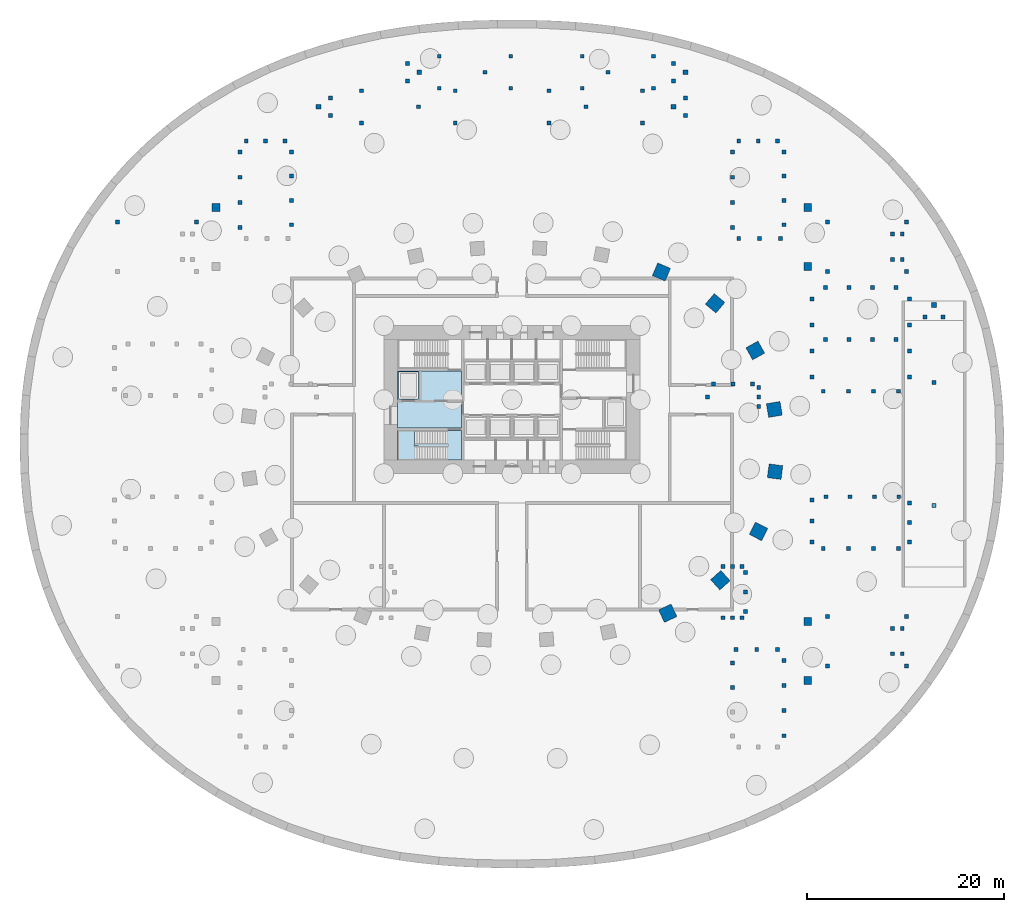
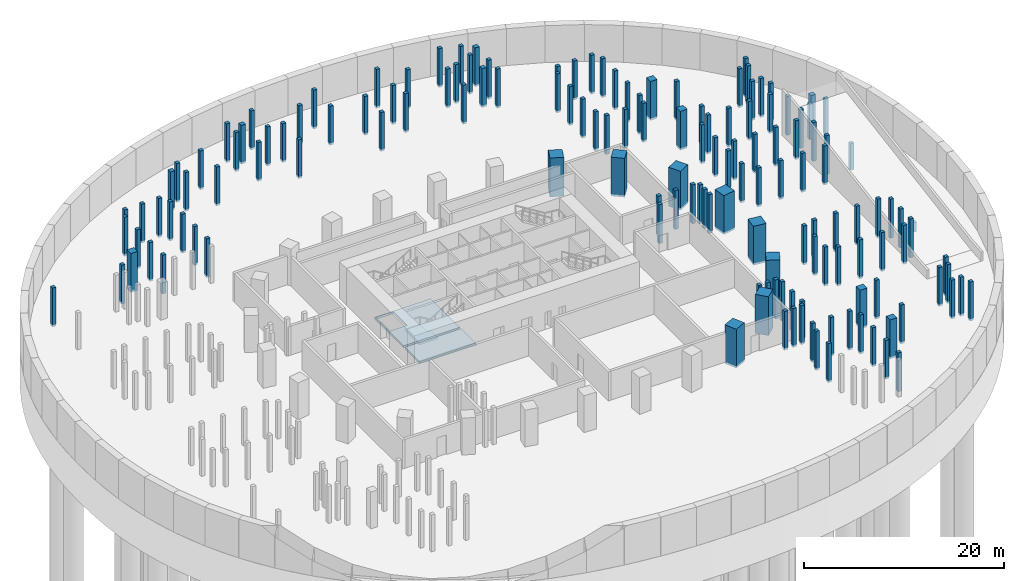
# One storey, part 2 of 10: 152 columns, 3 slabs, 1 element without a shape of its own.
"""IFC4 building model written with IfcOpenShell, lengths in metres."""

from ifc_helpers import new_model, si_unit, direction, frame, origin, origin_2d, place, context, subcontext, project, spatial, polyline, rectangle, outline, extrude, material, layer, layer_set, material_profile, profile_set, type_object, element, aggregate, save


model = new_model("IFC4")

# Units and contexts
model_context = context("Model", 3, precision=1e-05, world=origin(), true_north=direction((0.0, 1.0)))
body_context = subcontext(model_context, "Body", "Model", "MODEL_VIEW")
ifc_project = project(units=[si_unit("LENGTHUNIT", "METRE"), si_unit("AREAUNIT", "SQUARE_METRE"), si_unit("VOLUMEUNIT", "CUBIC_METRE"), si_unit("PLANEANGLEUNIT", "RADIAN"), si_unit("MASSUNIT", "GRAM", prefix="KILO")], contexts=[model_context])

# Site, building, storey
site_placement = place(None, origin())
site = spatial("IfcSite", under=ifc_project, at=site_placement, CompositionType="ELEMENT")
building_placement = place(site_placement, origin())
building = spatial("IfcBuilding", under=site, at=building_placement, Name="Rubra Terraces Tower", CompositionType="ELEMENT")
storey_placement = place(building_placement, frame((0.0, 0.0, -15.0)))
storey = spatial("IfcBuildingStorey", under=building, at=storey_placement, Name="B3", CompositionType="ELEMENT", Elevation=-15.0)

# Columns
ifc_material_1 = material(Name="Concrete C50", Category="concrete")
ifc_material_profile_1 = material_profile(ifc_material_1, rectangle(XDim=0.800048828125, YDim=0.800048828125, at=origin_2d()), Name="RC 800x800")
ifc_profile_set_1 = profile_set([ifc_material_profile_1], Name="Concrete C50")
column_type_1 = type_object("IfcColumnType", Name="BASEMENT COLUMN RC 800x800 C50", PredefinedType="COLUMN", material=ifc_profile_set_1)
for number, where, z_axis, x_axis, name in (
    (1, (-30.0, 24.0, -0.25), (0.0, 0.0, 1.0), (1.0, 0.0, 0.0), "column-B3-grid-004"),
    (2, (30.0, -24.0, -0.25), (0.0, 0.0, 1.0), (1.0, 0.0, 0.0), "column-B3-grid-005"),
    (3, (30.0, -18.0, -0.25), (0.0, 0.0, 1.0), (1.0, 0.0, 0.0), "column-B3-grid-006"),
    (4, (30.0, 18.0, -0.25), (0.0, 0.0, 1.0), (1.0, 0.0, 0.0), "column-B3-grid-007"),
    (5, (30.0, 24.0, -0.25), (0.0, 0.0, 1.0), (1.0, 0.0, 0.0), "column-B3-grid-008"),
):
    element("IfcColumn", number, at=place(storey_placement, frame(where, z_axis=z_axis, x_axis=x_axis)), inside=storey, type_object=column_type_1, Name=name, PredefinedType="COLUMN", context=body_context, shape_type="SweptSolid", body=[
        extrude(rectangle(XDim=0.800048828125, YDim=0.800048828125, at=origin_2d()), origin(), (0.0, 0.0, 1.0), 4.75),
    ])
ifc_material_2 = material(Name="Concrete C40/50", Category="concrete")
ifc_material_profile_2 = material_profile(ifc_material_2, rectangle(XDim=0.39990234375, YDim=0.39990234375, at=origin_2d()), Name="RC 400x400")
ifc_profile_set_2 = profile_set([ifc_material_profile_2], Name="Concrete C40/50")
column_type_2 = type_object("IfcColumnType", Name="Pavilion column RC 400 x 400", PredefinedType="COLUMN", material=ifc_profile_set_2)
for number, where, z_axis, x_axis, name in (
    (6, (32.0, 17.5, -0.25), (0.0, 0.0, 1.0), (1.0, 0.0, 0.0), "Pavilion SP1 column 1"),
    (7, (40.0, 17.5, -0.25), (0.0, 0.0, 1.0), (1.0, 0.0, 0.0), "Pavilion SP1 column 2"),
    (8, (40.0, 22.5, -0.25), (0.0, 0.0, 1.0), (1.0, 0.0, 0.0), "Pavilion SP1 column 3"),
    (9, (32.0, 22.5, -0.25), (0.0, 0.0, 1.0), (1.0, 0.0, 0.0), "Pavilion SP1 column 4"),
    (10, (38.580078125, 18.72509765625, -0.25), (0.0, 0.0, 1.0), (1.0, 0.0, 0.0), "Pavilion SP1 landing column 1"),
    (11, (39.580078125, 18.72509765625, -0.25), (0.0, 0.0, 1.0), (1.0, 0.0, 0.0), "Pavilion SP1 landing column 2"),
    (12, (39.580078125, 21.27490234375, -0.25), (0.0, 0.0, 1.0), (1.0, 0.0, 0.0), "Pavilion SP1 landing column 3"),
    (13, (38.580078125, 21.27490234375, -0.25), (0.0, 0.0, 1.0), (1.0, 0.0, 0.0), "Pavilion SP1 landing column 4"),
    (14, (-32.0, 22.5, -0.25), (0.0, 0.0, 1.0), (1.0, 0.0, 0.0), "Pavilion SP2 column 3"),
    (15, (-40.0, 22.5, -0.25), (0.0, 0.0, 1.0), (1.0, 0.0, 0.0), "Pavilion SP2 column 4"),
    (16, (32.0, -22.5, -0.25), (0.0, 0.0, 1.0), (1.0, 0.0, 0.0), "Pavilion SP4 column 1"),
    (17, (40.0, -22.5, -0.25), (0.0, 0.0, 1.0), (1.0, 0.0, 0.0), "Pavilion SP4 column 2"),
    (18, (40.0, -17.5, -0.25), (0.0, 0.0, 1.0), (1.0, 0.0, 0.0), "Pavilion SP4 column 3"),
    (19, (32.0, -17.5, -0.25), (0.0, 0.0, 1.0), (1.0, 0.0, 0.0), "Pavilion SP4 column 4"),
    (20, (38.580078125, -21.27490234375, -0.25), (0.0, 0.0, 1.0), (1.0, 0.0, 0.0), "Pavilion SP4 landing column 1"),
    (21, (39.580078125, -21.27490234375, -0.25), (0.0, 0.0, 1.0), (1.0, 0.0, 0.0), "Pavilion SP4 landing column 2"),
    (22, (39.580078125, -18.72509765625, -0.25), (0.0, 0.0, 1.0), (1.0, 0.0, 0.0), "Pavilion SP4 landing column 3"),
    (23, (38.580078125, -18.72509765625, -0.25), (0.0, 0.0, 1.0), (1.0, 0.0, 0.0), "Pavilion SP4 landing column 4"),
):
    element("IfcColumn", number, at=place(storey_placement, frame(where, z_axis=z_axis, x_axis=x_axis)), inside=storey, type_object=column_type_2, Name=name, PredefinedType="COLUMN", context=body_context, shape_type="SweptSolid", body=[
        extrude(rectangle(XDim=0.39990234375, YDim=0.39990234375, at=origin_2d()), origin(), (0.0, 0.0, 1.0), 4.75),
    ])
ifc_material_3 = material(Name="Concrete C60", Category="concrete")
ifc_material_profile_3 = material_profile(ifc_material_3, rectangle(XDim=1.39990234375, YDim=1.39990234375, at=origin_2d()), Name="RC 1400x1400")
ifc_profile_set_3 = profile_set([ifc_material_profile_3], Name="Concrete C60")
column_type_3 = type_object("IfcColumnType", Name="RING COLUMN RC 1400x1400 C60", PredefinedType="COLUMN", material=ifc_profile_set_3)
for number, where, z_axis, x_axis, name in (
    (24, (26.60498046875, 3.5029296875, -0.25), (0.0, 0.0, 1.0), (-0.161234051287, 0.986916197408, 0.0), "column-B3-ring-01"),
    (25, (24.676025390625, 9.48291015625, -0.25), (0.0, 0.0, 1.0), (-0.487226597714, 0.873275582208, 0.0), "column-B3-ring-02"),
    (26, (20.60009765625, 14.26611328125, -0.25), (0.0, 0.0, 1.0), (-0.767209547574, 0.641396531104, 0.0), "column-B3-ring-03"),
    (27, (15.156982421875, 17.44091796875, -0.25), (0.0, 0.0, 1.0), (-0.919293738002, 0.393572132232, 0.0), "column-B3-ring-04"),
    (28, (15.799072265625, -17.1650390625, -0.25), (0.0, 0.0, 1.0), (0.907952363445, 0.419073389413, 0.0), "column-B3-ring-21"),
    (29, (21.135009765625, -13.81689453125, -0.25), (0.0, 0.0, 1.0), (0.742675944539, 0.66965098477, 0.0), "column-B3-ring-22"),
    (30, (25.0029296875, -8.865966796875, -0.25), (0.0, 0.0, 1.0), (0.450098906028, 0.892978709036, 0.0), "column-B3-ring-23"),
    (31, (26.68408203125, -2.80810546875, -0.25), (0.0, 0.0, 1.0), (0.128444510405, 0.991716697322, 0.0), "column-B3-ring-24"),
):
    element("IfcColumn", number, at=place(storey_placement, frame(where, z_axis=z_axis, x_axis=x_axis)), inside=storey, type_object=column_type_3, Name=name, PredefinedType="COLUMN", context=body_context, shape_type="SweptSolid", body=[
        extrude(rectangle(XDim=1.39990234375, YDim=1.39990234375, at=origin_2d()), origin(), (0.0, 0.0, 1.0), 4.75),
    ])
ifc_material_profile_4 = material_profile(ifc_material_1, rectangle(XDim=0.39990234375, YDim=0.39990234375, at=origin_2d()), Name="RC 400x400")
ifc_profile_set_4 = profile_set([ifc_material_profile_4], Name="Concrete C50")
column_type_4 = type_object("IfcColumnType", Name="STAIR SUPPORT COLUMN RC 400x400 C50", PredefinedType="COLUMN", material=ifc_profile_set_4)
for number, where, z_axis, x_axis, name in (
    (32, (24.39990234375, 6.0849609375, -0.25), (0.0, 0.0, 1.0), (1.0, 0.0, 0.0), "column-B3-ps-support-07"),
    (33, (20.449951171875, 6.0849609375, -0.25), (0.0, 0.0, 1.0), (1.0, 0.0, 0.0), "column-B3-ps-support-08"),
    (34, (22.425048828125, 6.0849609375, -0.25), (0.0, 0.0, 1.0), (1.0, 0.0, 0.0), "column-B3-ps-support-09"),
    (35, (19.824951171875, 4.7451171875, -0.25), (0.0, 0.0, 1.0), (1.0, 0.0, 0.0), "column-B3-ps-support-10"),
    (36, (25.02490234375, 3.780029296875, -0.25), (0.0, 0.0, 1.0), (1.0, 0.0, 0.0), "column-B3-ps-support-11"),
    (37, (25.02490234375, 5.7099609375, -0.25), (0.0, 0.0, 1.0), (1.0, 0.0, 0.0), "column-B3-ps-support-12"),
    (38, (25.02490234375, 4.7451171875, -0.25), (0.0, 0.0, 1.0), (1.0, 0.0, 0.0), "column-B3-ps-support-13"),
    (39, (23.68505859375, -17.0, -0.25), (0.0, 0.0, 1.0), (1.0, 0.0, 0.0), "column-B3-ps-support-21"),
    (40, (23.68505859375, -13.050048828125, -0.25), (0.0, 0.0, 1.0), (1.0, 0.0, 0.0), "column-B3-ps-support-22"),
    (41, (23.68505859375, -15.02490234375, -0.25), (0.0, 0.0, 1.0), (1.0, 0.0, 0.0), "column-B3-ps-support-23"),
    (42, (21.3798828125, -17.625, -0.25), (0.0, 0.0, 1.0), (1.0, 0.0, 0.0), "column-B3-ps-support-24"),
    (43, (23.31005859375, -17.625, -0.25), (0.0, 0.0, 1.0), (1.0, 0.0, 0.0), "column-B3-ps-support-25"),
    (44, (22.344970703125, -17.625, -0.25), (0.0, 0.0, 1.0), (1.0, 0.0, 0.0), "column-B3-ps-support-26"),
    (45, (21.3798828125, -12.425048828125, -0.25), (0.0, 0.0, 1.0), (1.0, 0.0, 0.0), "column-B3-ps-support-27"),
    (46, (23.31005859375, -12.425048828125, -0.25), (0.0, 0.0, 1.0), (1.0, 0.0, 0.0), "column-B3-ps-support-28"),
    (47, (22.344970703125, -12.425048828125, -0.25), (0.0, 0.0, 1.0), (1.0, 0.0, 0.0), "column-B3-ps-support-29"),
    (48, (-7.375, 36.074951171875, -0.25), (0.0, 0.0, 1.0), (1.0, 0.0, 0.0), "column-B3-rp2w-support-01"),
    (49, (-0.125, 36.074951171875, -0.25), (0.0, 0.0, 1.0), (1.0, 0.0, 0.0), "column-B3-rp2w-support-02"),
    (50, (7.125, 36.074951171875, -0.25), (0.0, 0.0, 1.0), (1.0, 0.0, 0.0), "column-B3-rp2w-support-03"),
    (51, (14.375, 36.074951171875, -0.25), (0.0, 0.0, 1.0), (1.0, 0.0, 0.0), "column-B3-rp2w-support-04"),
    (52, (-7.375, 39.324951171875, -0.25), (0.0, 0.0, 1.0), (1.0, 0.0, 0.0), "column-B3-rp2w-support-05"),
    (53, (-0.125, 39.324951171875, -0.25), (0.0, 0.0, 1.0), (1.0, 0.0, 0.0), "column-B3-rp2w-support-06"),
    (54, (7.125, 39.324951171875, -0.25), (0.0, 0.0, 1.0), (1.0, 0.0, 0.0), "column-B3-rp2w-support-07"),
    (55, (14.375, 39.324951171875, -0.25), (0.0, 0.0, 1.0), (1.0, 0.0, 0.0), "column-B3-rp2w-support-08"),
    (56, (-10.60009765625, 36.800048828125, -0.25), (0.0, 0.0, 1.0), (1.0, 0.0, 0.0), "column-B3-rp2-support-01"),
    (57, (-10.60009765625, 38.60009765625, -0.25), (0.0, 0.0, 1.0), (1.0, 0.0, 0.0), "column-B3-rp2-support-02"),
    (58, (-2.75, 37.699951171875, -0.25), (0.0, 0.0, 1.0), (1.0, 0.0, 0.0), "column-B3-rp2-support-04"),
    (59, (9.75, 37.699951171875, -0.25), (0.0, 0.0, 1.0), (1.0, 0.0, 0.0), "column-B3-rp2-support-05"),
    (60, (16.39990234375, 36.800048828125, -0.25), (0.0, 0.0, 1.0), (1.0, 0.0, 0.0), "column-B3-rp2-support-06"),
    (61, (16.39990234375, 38.60009765625, -0.25), (0.0, 0.0, 1.0), (1.0, 0.0, 0.0), "column-B3-rp2-support-07"),
    (62, (13.25, 35.824951171875, -0.25), (0.0, 0.0, 1.0), (1.0, 0.0, 0.0), "column-B3-rp3w-support-01"),
    (63, (3.75, 35.824951171875, -0.25), (0.0, 0.0, 1.0), (1.0, 0.0, 0.0), "column-B3-rp3w-support-02"),
    (64, (-5.75, 35.824951171875, -0.25), (0.0, 0.0, 1.0), (1.0, 0.0, 0.0), "column-B3-rp3w-support-03"),
    (65, (-15.25, 35.824951171875, -0.25), (0.0, 0.0, 1.0), (1.0, 0.0, 0.0), "column-B3-rp3w-support-04"),
    (66, (13.25, 32.574951171875, -0.25), (0.0, 0.0, 1.0), (1.0, 0.0, 0.0), "column-B3-rp3w-support-05"),
    (67, (3.75, 32.574951171875, -0.25), (0.0, 0.0, 1.0), (1.0, 0.0, 0.0), "column-B3-rp3w-support-06"),
    (68, (-5.75, 32.574951171875, -0.25), (0.0, 0.0, 1.0), (1.0, 0.0, 0.0), "column-B3-rp3w-support-07"),
    (69, (-15.25, 32.574951171875, -0.25), (0.0, 0.0, 1.0), (1.0, 0.0, 0.0), "column-B3-rp3w-support-08"),
    (70, (17.60009765625, 35.10009765625, -0.25), (0.0, 0.0, 1.0), (1.0, 0.0, 0.0), "column-B3-rp3-support-01"),
    (71, (17.60009765625, 33.300048828125, -0.25), (0.0, 0.0, 1.0), (1.0, 0.0, 0.0), "column-B3-rp3-support-02"),
    (72, (7.5, 34.199951171875, -0.25), (0.0, 0.0, 1.0), (1.0, 0.0, 0.0), "column-B3-rp3-support-04"),
    (73, (-9.5, 34.199951171875, -0.25), (0.0, 0.0, 1.0), (1.0, 0.0, 0.0), "column-B3-rp3-support-05"),
    (74, (-18.39990234375, 35.10009765625, -0.25), (0.0, 0.0, 1.0), (1.0, 0.0, 0.0), "column-B3-rp3-support-06"),
    (75, (-18.39990234375, 33.300048828125, -0.25), (0.0, 0.0, 1.0), (1.0, 0.0, 0.0), "column-B3-rp3-support-07"),
    (76, (27.60009765625, -29.590087890625, -0.25), (0.0, 0.0, 1.0), (1.0, 0.0, 0.0), "column-B3-se-support-01"),
    (77, (27.60009765625, -27.050048828125, -0.25), (0.0, 0.0, 1.0), (1.0, 0.0, 0.0), "column-B3-se-support-02"),
    (78, (27.60009765625, -24.510009765625, -0.25), (0.0, 0.0, 1.0), (1.0, 0.0, 0.0), "column-B3-se-support-03"),
    (79, (27.60009765625, -21.969970703125, -0.25), (0.0, 0.0, 1.0), (1.0, 0.0, 0.0), "column-B3-se-support-04"),
    (80, (26.949951171875, -20.85009765625, -0.25), (0.0, 0.0, 1.0), (1.0, 0.0, 0.0), "column-B3-se-support-05"),
    (81, (22.699951171875, -20.85009765625, -0.25), (0.0, 0.0, 1.0), (1.0, 0.0, 0.0), "column-B3-se-support-06"),
    (82, (24.824951171875, -20.85009765625, -0.25), (0.0, 0.0, 1.0), (1.0, 0.0, 0.0), "column-B3-se-support-07"),
    (83, (22.35009765625, -22.23291015625, -0.25), (0.0, 0.0, 1.0), (1.0, 0.0, 0.0), "column-B3-se-support-08"),
    (84, (22.35009765625, -24.697021484375, -0.25), (0.0, 0.0, 1.0), (1.0, 0.0, 0.0), "column-B3-se-support-09"),
    (85, (-27.60009765625, 29.590087890625, -0.25), (0.0, 0.0, 1.0), (1.0, 0.0, 0.0), "column-B3-se-support-23"),
    (86, (-27.60009765625, 27.050048828125, -0.25), (0.0, 0.0, 1.0), (1.0, 0.0, 0.0), "column-B3-se-support-24"),
    (87, (-27.60009765625, 24.510009765625, -0.25), (0.0, 0.0, 1.0), (1.0, 0.0, 0.0), "column-B3-se-support-25"),
    (88, (-27.60009765625, 21.969970703125, -0.25), (0.0, 0.0, 1.0), (1.0, 0.0, 0.0), "column-B3-se-support-26"),
    (89, (-22.35009765625, 22.23291015625, -0.25), (0.0, 0.0, 1.0), (1.0, 0.0, 0.0), "column-B3-se-support-30"),
    (90, (-22.35009765625, 24.697021484375, -0.25), (0.0, 0.0, 1.0), (1.0, 0.0, 0.0), "column-B3-se-support-31"),
    (91, (-22.35009765625, 27.1630859375, -0.25), (0.0, 0.0, 1.0), (1.0, 0.0, 0.0), "column-B3-se-support-32"),
    (92, (-22.35009765625, 29.626953125, -0.25), (0.0, 0.0, 1.0), (1.0, 0.0, 0.0), "column-B3-se-support-33"),
    (93, (22.35009765625, 29.590087890625, -0.25), (0.0, 0.0, 1.0), (1.0, 0.0, 0.0), "column-B3-se-support-34"),
    (94, (22.35009765625, 27.050048828125, -0.25), (0.0, 0.0, 1.0), (1.0, 0.0, 0.0), "column-B3-se-support-35"),
    (95, (22.35009765625, 24.510009765625, -0.25), (0.0, 0.0, 1.0), (1.0, 0.0, 0.0), "column-B3-se-support-36"),
    (96, (22.35009765625, 21.969970703125, -0.25), (0.0, 0.0, 1.0), (1.0, 0.0, 0.0), "column-B3-se-support-37"),
    (97, (23.0, 20.85009765625, -0.25), (0.0, 0.0, 1.0), (1.0, 0.0, 0.0), "column-B3-se-support-38"),
    (98, (27.25, 20.85009765625, -0.25), (0.0, 0.0, 1.0), (1.0, 0.0, 0.0), "column-B3-se-support-39"),
    (99, (25.125, 20.85009765625, -0.25), (0.0, 0.0, 1.0), (1.0, 0.0, 0.0), "column-B3-se-support-40"),
    (100, (27.60009765625, 22.23291015625, -0.25), (0.0, 0.0, 1.0), (1.0, 0.0, 0.0), "column-B3-se-support-41"),
    (101, (27.60009765625, 24.697021484375, -0.25), (0.0, 0.0, 1.0), (1.0, 0.0, 0.0), "column-B3-se-support-42"),
    (102, (27.60009765625, 27.1630859375, -0.25), (0.0, 0.0, 1.0), (1.0, 0.0, 0.0), "column-B3-se-support-43"),
    (103, (27.60009765625, 29.626953125, -0.25), (0.0, 0.0, 1.0), (1.0, 0.0, 0.0), "column-B3-se-support-44"),
    (104, (39.18994140625, 5.35009765625, -0.25), (0.0, 0.0, 1.0), (1.0, 0.0, 0.0), "column-B3-se-support-45"),
    (105, (36.64990234375, 5.35009765625, -0.25), (0.0, 0.0, 1.0), (1.0, 0.0, 0.0), "column-B3-se-support-46"),
    (106, (34.110107421875, 5.35009765625, -0.25), (0.0, 0.0, 1.0), (1.0, 0.0, 0.0), "column-B3-se-support-47"),
    (107, (31.570068359375, 5.35009765625, -0.25), (0.0, 0.0, 1.0), (1.0, 0.0, 0.0), "column-B3-se-support-48"),
    (108, (30.449951171875, 6.81201171875, -0.25), (0.0, 0.0, 1.0), (1.0, 0.0, 0.0), "column-B3-se-support-49"),
    (109, (30.449951171875, 9.43798828125, -0.25), (0.0, 0.0, 1.0), (1.0, 0.0, 0.0), "column-B3-se-support-50"),
    (110, (30.449951171875, 12.06201171875, -0.25), (0.0, 0.0, 1.0), (1.0, 0.0, 0.0), "column-B3-se-support-51"),
    (111, (30.449951171875, 14.68798828125, -0.25), (0.0, 0.0, 1.0), (1.0, 0.0, 0.0), "column-B3-se-support-52"),
    (112, (31.794921875, 10.60009765625, -0.25), (0.0, 0.0, 1.0), (1.0, 0.0, 0.0), "column-B3-se-support-53"),
    (113, (34.18505859375, 10.60009765625, -0.25), (0.0, 0.0, 1.0), (1.0, 0.0, 0.0), "column-B3-se-support-54"),
    (114, (36.574951171875, 10.60009765625, -0.25), (0.0, 0.0, 1.0), (1.0, 0.0, 0.0), "column-B3-se-support-55"),
    (115, (38.965087890625, 10.60009765625, -0.25), (0.0, 0.0, 1.0), (1.0, 0.0, 0.0), "column-B3-se-support-56"),
    (116, (40.31005859375, 14.68798828125, -0.25), (0.0, 0.0, 1.0), (1.0, 0.0, 0.0), "column-B3-se-support-57"),
    (117, (40.31005859375, 12.06201171875, -0.25), (0.0, 0.0, 1.0), (1.0, 0.0, 0.0), "column-B3-se-support-58"),
    (118, (40.31005859375, 9.43798828125, -0.25), (0.0, 0.0, 1.0), (1.0, 0.0, 0.0), "column-B3-se-support-59"),
    (119, (40.31005859375, 6.81201171875, -0.25), (0.0, 0.0, 1.0), (1.0, 0.0, 0.0), "column-B3-se-support-60"),
    (120, (39.18994140625, -10.60009765625, -0.25), (0.0, 0.0, 1.0), (1.0, 0.0, 0.0), "column-B3-se-support-61"),
    (121, (36.64990234375, -10.60009765625, -0.25), (0.0, 0.0, 1.0), (1.0, 0.0, 0.0), "column-B3-se-support-62"),
    (122, (34.110107421875, -10.60009765625, -0.25), (0.0, 0.0, 1.0), (1.0, 0.0, 0.0), "column-B3-se-support-63"),
    (123, (31.570068359375, -10.60009765625, -0.25), (0.0, 0.0, 1.0), (1.0, 0.0, 0.0), "column-B3-se-support-64"),
    (124, (30.449951171875, -9.949951171875, -0.25), (0.0, 0.0, 1.0), (1.0, 0.0, 0.0), "column-B3-se-support-65"),
    (125, (30.449951171875, -5.699951171875, -0.25), (0.0, 0.0, 1.0), (1.0, 0.0, 0.0), "column-B3-se-support-66"),
    (126, (30.449951171875, -7.824951171875, -0.25), (0.0, 0.0, 1.0), (1.0, 0.0, 0.0), "column-B3-se-support-67"),
    (127, (31.8330078125, -5.35009765625, -0.25), (0.0, 0.0, 1.0), (1.0, 0.0, 0.0), "column-B3-se-support-68"),
    (128, (34.297119140625, -5.35009765625, -0.25), (0.0, 0.0, 1.0), (1.0, 0.0, 0.0), "column-B3-se-support-69"),
    (129, (36.762939453125, -5.35009765625, -0.25), (0.0, 0.0, 1.0), (1.0, 0.0, 0.0), "column-B3-se-support-70"),
    (130, (39.22705078125, -5.35009765625, -0.25), (0.0, 0.0, 1.0), (1.0, 0.0, 0.0), "column-B3-se-support-71"),
    (131, (40.31005859375, -6.0, -0.25), (0.0, 0.0, 1.0), (1.0, 0.0, 0.0), "column-B3-se-support-72"),
    (132, (40.31005859375, -9.949951171875, -0.25), (0.0, 0.0, 1.0), (1.0, 0.0, 0.0), "column-B3-se-support-73"),
    (133, (40.31005859375, -7.97509765625, -0.25), (0.0, 0.0, 1.0), (1.0, 0.0, 0.0), "column-B3-se-support-74"),
    (134, (-26.949951171875, 30.7099609375, -0.25), (0.0, 0.0, 1.0), (1.0, 0.0, 0.0), "column-B3-se-support-103"),
    (135, (-23.0, 30.7099609375, -0.25), (0.0, 0.0, 1.0), (1.0, 0.0, 0.0), "column-B3-se-support-104"),
    (136, (-24.97509765625, 30.7099609375, -0.25), (0.0, 0.0, 1.0), (1.0, 0.0, 0.0), "column-B3-se-support-105"),
    (137, (23.0, 30.7099609375, -0.25), (0.0, 0.0, 1.0), (1.0, 0.0, 0.0), "column-B3-se-support-106"),
    (138, (26.949951171875, 30.7099609375, -0.25), (0.0, 0.0, 1.0), (1.0, 0.0, 0.0), "column-B3-se-support-107"),
    (139, (24.97509765625, 30.7099609375, -0.25), (0.0, 0.0, 1.0), (1.0, 0.0, 0.0), "column-B3-se-support-108"),
    (140, (31.794921875, 15.85009765625, -0.25), (0.0, 0.0, 1.0), (1.0, 0.0, 0.0), "column-B3-se-support-115"),
    (141, (34.18505859375, 15.85009765625, -0.25), (0.0, 0.0, 1.0), (1.0, 0.0, 0.0), "column-B3-se-support-116"),
    (142, (36.574951171875, 15.85009765625, -0.25), (0.0, 0.0, 1.0), (1.0, 0.0, 0.0), "column-B3-se-support-117"),
    (143, (38.965087890625, 15.85009765625, -0.25), (0.0, 0.0, 1.0), (1.0, 0.0, 0.0), "column-B3-se-support-118"),
):
    element("IfcColumn", number, at=place(storey_placement, frame(where, z_axis=z_axis, x_axis=x_axis)), inside=storey, type_object=column_type_4, Name=name, PredefinedType="COLUMN", context=body_context, shape_type="SweptSolid", body=[
        extrude(rectangle(XDim=0.39990234375, YDim=0.39990234375, at=origin_2d()), origin(), (0.0, 0.0, 1.0), 4.75),
    ])
ifc_material_profile_5 = material_profile(ifc_material_1, rectangle(XDim=0.39990234375, YDim=0.39990234375, at=origin_2d()), Name="RC 400x400")
ifc_profile_set_5 = profile_set([ifc_material_profile_5], Name="Concrete C50")
column_type_5 = type_object("IfcColumnType", Name="STAIR SUPPORT COLUMN SSC11 RC 400x400 C50", PredefinedType="COLUMN", material=ifc_profile_set_5)
column_1_placement = place(storey_placement, frame((42.800048828125, -6.25, -0.25), z_axis=(0.0, 0.0, 1.0), x_axis=(1.0, 0.0, 0.0)))
element("IfcColumn", 144, at=column_1_placement, inside=storey, type_object=column_type_5, Name="column-B3-rp1-support-04", PredefinedType="COLUMN", context=body_context, shape_type="SweptSolid", body=[
    extrude(rectangle(XDim=0.39990234375, YDim=0.39990234375, at=origin_2d()), origin(), (0.0, 0.0, 1.0), 1.155029296875),
])
ifc_material_profile_6 = material_profile(ifc_material_1, rectangle(XDim=0.39990234375, YDim=0.39990234375, at=origin_2d()), Name="RC 400x400")
ifc_profile_set_6 = profile_set([ifc_material_profile_6], Name="Concrete C50")
column_type_6 = type_object("IfcColumnType", Name="STAIR SUPPORT COLUMN SSC12 RC 400x400 C50", PredefinedType="COLUMN", material=ifc_profile_set_6)
column_2_placement = place(storey_placement, frame((42.800048828125, 6.25, -0.25), z_axis=(0.0, 0.0, 1.0), x_axis=(1.0, 0.0, 0.0)))
element("IfcColumn", 145, at=column_2_placement, inside=storey, type_object=column_type_6, Name="column-B3-rp1-support-05", PredefinedType="COLUMN", context=body_context, shape_type="SweptSolid", body=[
    extrude(rectangle(XDim=0.39990234375, YDim=0.39990234375, at=origin_2d()), origin(), (0.0, 0.0, 1.0), 3.239013671875),
])
ifc_material_profile_7 = material_profile(ifc_material_1, rectangle(XDim=0.39990234375, YDim=0.39990234375, at=origin_2d()), Name="RC 400x400")
ifc_profile_set_7 = profile_set([ifc_material_profile_7], Name="Concrete C50")
column_type_7 = type_object("IfcColumnType", Name="STAIR SUPPORT COLUMN SSC13 RC 400x400 C50", PredefinedType="COLUMN", material=ifc_profile_set_7)
for number, where, z_axis, x_axis, name in (
    (146, (43.699951171875, 12.89990234375, -0.25), (0.0, 0.0, 1.0), (1.0, 0.0, 0.0), "column-B3-rp1-support-06"),
    (147, (41.89990234375, 12.89990234375, -0.25), (0.0, 0.0, 1.0), (1.0, 0.0, 0.0), "column-B3-rp1-support-07"),
):
    element("IfcColumn", number, at=place(storey_placement, frame(where, z_axis=z_axis, x_axis=x_axis)), inside=storey, type_object=column_type_7, Name=name, PredefinedType="COLUMN", context=body_context, shape_type="SweptSolid", body=[
        extrude(rectangle(XDim=0.39990234375, YDim=0.39990234375, at=origin_2d()), origin(), (0.0, 0.0, 1.0), 4.31396484375),
    ])
ifc_material_profile_8 = material_profile(ifc_material_1, rectangle(XDim=0.5, YDim=0.5, at=origin_2d()), Name="RC 500x500")
ifc_profile_set_8 = profile_set([ifc_material_profile_8], Name="Concrete C50")
column_type_8 = type_object("IfcColumnType", Name="STAIR SUPPORT COLUMN SSC14 RC 500x500 C50", PredefinedType="COLUMN", material=ifc_profile_set_8)
column_3_placement = place(storey_placement, frame((42.800048828125, 14.10009765625, -0.25), z_axis=(0.0, 0.0, 1.0), x_axis=(1.0, 0.0, 0.0)))
element("IfcColumn", 148, at=column_3_placement, inside=storey, type_object=column_type_8, Name="column-B3-rp1-support-08", PredefinedType="COLUMN", context=body_context, shape_type="SweptSolid", body=[
    extrude(rectangle(XDim=0.5, YDim=0.5, at=origin_2d()), origin(), (0.0, 0.0, 1.0), 4.4140625),
])
ifc_material_profile_9 = material_profile(ifc_material_1, rectangle(XDim=0.5, YDim=0.5, at=origin_2d()), Name="RC 500x500")
ifc_profile_set_9 = profile_set([ifc_material_profile_9], Name="Concrete C50")
column_type_9 = type_object("IfcColumnType", Name="STAIR SUPPORT COLUMN SSC15 RC 500x500 C50", PredefinedType="COLUMN", material=ifc_profile_set_9)
for number, where, z_axis, x_axis, name in (
    (149, (-9.39990234375, 37.699951171875, -0.25), (0.0, 0.0, 1.0), (1.0, 0.0, 0.0), "column-B3-rp2-support-03"),
    (150, (17.60009765625, 37.699951171875, -0.25), (0.0, 0.0, 1.0), (1.0, 0.0, 0.0), "column-B3-rp2-support-08"),
    (151, (16.39990234375, 34.199951171875, -0.25), (0.0, 0.0, 1.0), (1.0, 0.0, 0.0), "column-B3-rp3-support-03"),
    (152, (-19.60009765625, 34.199951171875, -0.25), (0.0, 0.0, 1.0), (1.0, 0.0, 0.0), "column-B3-rp3-support-08"),
):
    element("IfcColumn", number, at=place(storey_placement, frame(where, z_axis=z_axis, x_axis=x_axis)), inside=storey, type_object=column_type_9, Name=name, PredefinedType="COLUMN", context=body_context, shape_type="SweptSolid", body=[
        extrude(rectangle(XDim=0.5, YDim=0.5, at=origin_2d()), origin(), (0.0, 0.0, 1.0), 4.75),
    ])

# Slabs
ifc_material_4 = material(Name="Concrete C40", Category="concrete")
ifc_layer_1 = layer(ifc_material_4, 0.25)
ifc_layer_set_1 = layer_set([ifc_layer_1], Name="Concrete C40")
slab_type_1 = type_object("IfcSlabType", Name="Core floor slab 250 concrete", PredefinedType="FLOOR", material=ifc_layer_set_1)
slab_1_placement = place(storey_placement, frame((0.0, 0.0, -0.25)))
element("IfcSlab", 153, at=slab_1_placement, inside=storey, type_object=slab_type_1, Name="CORE FLOOR SLAB B3 3", PredefinedType="FLOOR", context=body_context, shape_type="SweptSolid", body=[
    extrude(outline(polyline([(-11.60009765625, 7.39990234375), (-5.10009765625, 7.39990234375), (-5.10009765625, 1.60009765625), (-11.60009765625, 1.60009765625), (-11.60009765625, 7.39990234375)]), holes=[polyline([(-11.5, 4.550048828125), (-9.5, 4.550048828125), (-9.5, 7.300048828125), (-11.5, 7.300048828125), (-11.5, 4.550048828125)])]), origin(), (0.0, 0.0, 1.0), 0.25),
])
slab_2_placement = place(storey_placement, frame((0.0, 0.0, -0.25)))
element("IfcSlab", 154, at=slab_2_placement, inside=storey, type_object=slab_type_1, Name="CORE FLOOR SLAB B3 5", PredefinedType="FLOOR", context=body_context, shape_type="SweptSolid", body=[
    extrude(outline(polyline([(-11.60009765625, 1.35009765625), (-5.10009765625, 1.35009765625), (-5.10009765625, -1.60009765625), (-11.60009765625, -1.60009765625), (-11.60009765625, 1.35009765625)])), origin(), (0.0, 0.0, 1.0), 0.25),
])

# Stair, slab
stair_type = type_object("IfcStairType", Name="Core stair 1400", PredefinedType="HALF_TURN_STAIR", material=ifc_material_4)
stair_placement = place(storey_placement, origin())
stair = element("IfcStair", 155, at=stair_placement, inside=storey, type_object=stair_type, Name="B3 Exit stair S1", PredefinedType="HALF_TURN_STAIR")
ifc_layer_2 = layer(ifc_material_4, 0.199951171875)
ifc_layer_set_2 = layer_set([ifc_layer_2], Name="Concrete C40")
slab_type_2 = type_object("IfcSlabType", Name="Core stair landing 200", PredefinedType="LANDING", material=ifc_layer_set_2)
slab_3_placement = place(storey_placement, frame((0.0, 0.0, 2.050048828125)))
slab_3 = element("IfcSlab", 156, at=slab_3_placement, type_object=slab_type_2, Name="S1 landing 1", PredefinedType="LANDING", context=body_context, shape_type="SweptSolid", body=[
    extrude(outline(polyline([(-9.5, -0.199951171875), (-9.5, -1.60009765625), (-9.8798828125, -1.60009765625), (-9.89990234375, -1.60009765625), (-11.60009765625, -1.60009765625), (-11.60009765625, 1.35009765625), (-9.89990234375, 1.35009765625), (-9.8779296875, 1.35009765625), (-9.8779296875, -0.050048828125), (-9.8798828125, -0.050048828125), (-9.8798828125, -0.199951171875), (-9.5, -0.199951171875)])), origin(), (0.0, 0.0, 1.0), 0.199951171875),
])
aggregate(stair, [slab_3])

save(model, "model.ifc")
